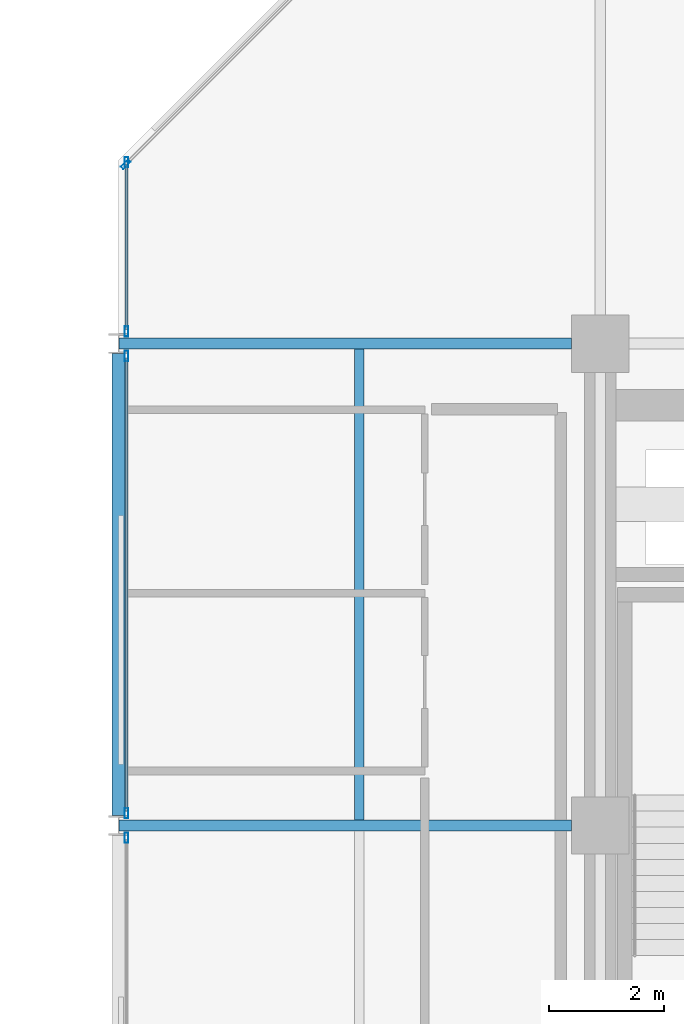
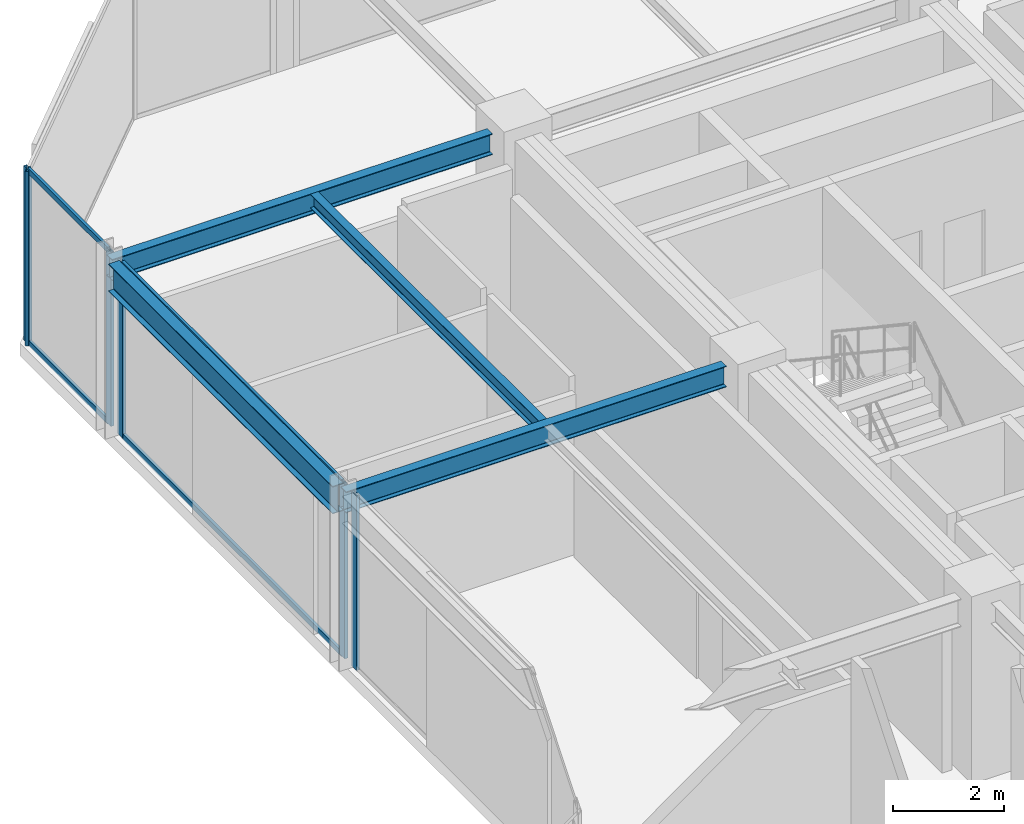
# One storey, part 17 of 29: 10 members, 4 beams, 4 elements without a shape of their own.
"""IFC4 building model written with IfcOpenShell, lengths in metres."""

from ifc_helpers import new_model, si_unit, direction, frame, origin, origin_2d, place, context, subcontext, project, spatial, hollow_rectangle, i_section, extrude, material, layer, layer_set, material_profile, profile_set, type_object, element, aggregate, save


model = new_model("IFC4")

# Units and contexts
model_context = context("Model", 3, precision=1e-05, world=origin(), true_north=direction((0.0, 1.0)))
body_context = subcontext(model_context, "Body", "Model", "MODEL_VIEW")
ifc_project = project(units=[si_unit("LENGTHUNIT", "METRE"), si_unit("AREAUNIT", "SQUARE_METRE"), si_unit("VOLUMEUNIT", "CUBIC_METRE"), si_unit("PLANEANGLEUNIT", "RADIAN"), si_unit("MASSUNIT", "GRAM", prefix="KILO")], contexts=[model_context])

# Site, building, storey
site_placement = place(None, origin())
site = spatial("IfcSite", under=ifc_project, at=site_placement, CompositionType="ELEMENT")
building_placement = place(site_placement, origin())
building = spatial("IfcBuilding", under=site, at=building_placement, Name="Nerrivon Quay Data Exchange", CompositionType="ELEMENT")
storey_placement = place(building_placement, frame((0.0, 0.0, 187.800048828125)))
storey = spatial("IfcBuildingStorey", under=building, at=storey_placement, Name="L44", CompositionType="ELEMENT", Elevation=187.800048828125)

# Beams
ifc_material_1 = material(Name="Steel Grade 350", Category="steel")
ifc_material_profile_1 = material_profile(ifc_material_1, i_section(OverallWidth=0.22802734375, OverallDepth=0.60205078125, WebThickness=0.010498046875, FlangeThickness=0.014892578125, FilletRadius=0.013916015625, at=origin_2d()), Name="610UB101")
ifc_profile_set_1 = profile_set([ifc_material_profile_1], Name="Steel Grade 350")
beam_type_1 = type_object("IfcBeamType", Name="BM-G2-610UB101", PredefinedType="BEAM", material=ifc_profile_set_1)
beam_1_placement = place(storey_placement, frame((0.0, 33.77490234375, 3.52392578125), z_axis=(0.0, 1.0, 0.0), x_axis=(-1.0, 0.0, 0.0)))
element("IfcBeam", 1, at=beam_1_placement, inside=storey, type_object=beam_type_1, Name="L44 NS Girder X=0.0 (33.6..42.0)", PredefinedType="BEAM", context=body_context, shape_type="SweptSolid", body=[
    extrude(i_section(OverallWidth=0.22802734375, OverallDepth=0.60205078125, WebThickness=0.010498046875, FlangeThickness=0.014892578125, FilletRadius=0.013916015625, at=origin_2d()), origin(), (0.0, 0.0, 1.0), 8.050048828125),
])
ifc_material_profile_2 = material_profile(ifc_material_1, i_section(OverallWidth=0.19091796875, OverallDepth=0.4599609375, WebThickness=0.010009765625, FlangeThickness=0.01611328125, FilletRadius=0.011474609375, at=origin_2d()), Name="460UB82.1")
ifc_profile_set_2 = profile_set([ifc_material_profile_2], Name="Steel Grade 350")
beam_type_2 = type_object("IfcBeamType", Name="BM-G5-460UB82", PredefinedType="BEAM", material=ifc_profile_set_2)
for number, where, z_axis, x_axis, name in (
    (2, (0.010009765625, 33.60009765625, 3.594970703125), (1.0, 0.0, 0.0), (0.0, 1.0, 0.0), "L44 EW Girder Y=33.6 (0.0..8.4)"),
    (3, (0.010009765625, 42.0, 3.594970703125), (1.0, 0.0, 0.0), (0.0, 1.0, 0.0), "L44 EW Girder Y=42.0 (0.0..8.4)"),
):
    element("IfcBeam", number, at=place(storey_placement, frame(where, z_axis=z_axis, x_axis=x_axis)), inside=storey, type_object=beam_type_2, Name=name, PredefinedType="BEAM", context=body_context, shape_type="SweptSolid", body=[
        extrude(i_section(OverallWidth=0.19091796875, OverallDepth=0.4599609375, WebThickness=0.010009765625, FlangeThickness=0.01611328125, FilletRadius=0.011474609375, at=origin_2d()), origin(), (0.0, 0.0, 1.0), 7.889892578125),
    ])
ifc_material_profile_3 = material_profile(ifc_material_1, i_section(OverallWidth=0.166015625, OverallDepth=0.306884765625, WebThickness=0.006591796875, FlangeThickness=0.01171875, FilletRadius=0.011474609375, at=origin_2d()), Name="310UB46.2")
ifc_profile_set_3 = profile_set([ifc_material_profile_3], Name="Steel Grade 350")
beam_type_3 = type_object("IfcBeamType", Name="BM-J5-310UB46", PredefinedType="JOIST", material=ifc_profile_set_3)
beam_2_placement = place(storey_placement, frame((4.199951171875, 33.695556640625, 3.67138671875), z_axis=(0.0, 1.0, 0.0), x_axis=(-1.0, 0.0, 0.0)))
element("IfcBeam", 4, at=beam_2_placement, inside=storey, type_object=beam_type_3, Name="L44 Secondary Joist X=4.2 (33.6..42.0)", PredefinedType="JOIST", context=body_context, shape_type="SweptSolid", body=[
    extrude(i_section(OverallWidth=0.166015625, OverallDepth=0.306884765625, WebThickness=0.006591796875, FlangeThickness=0.01171875, FilletRadius=0.011474609375, at=origin_2d()), origin(), (0.0, 0.0, 1.0), 8.208984375),
])

# Curtain wall, member
ifc_material_2 = material(Name="Anodised aluminium 6063-T6", Category="aluminium")
ifc_layer = layer(ifc_material_2, 0.195068359375)
ifc_layer_set = layer_set([ifc_layer], Name="Anodised aluminium 6063-T6")
curtain_wall_type = type_object("IfcCurtainWallType", Name="CW-SYS-06", PredefinedType="NOTDEFINED", material=ifc_layer_set)
curtain_wall_1_placement = place(storey_placement, origin())
curtain_wall_1 = element("IfcCurtainWall", 5, at=curtain_wall_1_placement, inside=storey, type_object=curtain_wall_type, Name="L44 Unitised Curtain Wall 4", PredefinedType="NOTDEFINED")
ifc_material_profile_4 = material_profile(ifc_material_2, hollow_rectangle(XDim=0.06494140625, YDim=0.179931640625, WallThickness=0.00341796875, at=origin_2d()), Name="ALU-MULL-180x65")
ifc_profile_set_4 = profile_set([ifc_material_profile_4], Name="Anodised aluminium 6063-T6")
member_type_1 = type_object("IfcMemberType", Name="CWM-180x65", PredefinedType="MULLION", material=ifc_profile_set_4)
member_1_placement = place(storey_placement, frame((0.139892578125, 33.387451171875, 0.0), z_axis=(0.0, 0.0, 1.0), x_axis=(-1.0, 0.0, 0.0)))
member_1 = element("IfcMember", 6, at=member_1_placement, type_object=member_type_1, Name="CW06 mullion 2", PredefinedType="MULLION", context=body_context, shape_type="SweptSolid", body=[
    extrude(hollow_rectangle(XDim=0.06494140625, YDim=0.179931640625, WallThickness=0.00341796875, at=origin_2d()), origin(), (0.0, 0.0, 1.0), 3.824951171875),
])
aggregate(curtain_wall_1, [member_1])

# Curtain wall, members
curtain_wall_2_placement = place(storey_placement, origin())
curtain_wall_2 = element("IfcCurtainWall", 7, at=curtain_wall_2_placement, inside=storey, type_object=curtain_wall_type, Name="L44 Unitised Curtain Wall 5", PredefinedType="NOTDEFINED")
member_2_placement = place(storey_placement, frame((0.139892578125, 33.8125, 0.0), z_axis=(0.0, 0.0, 1.0), x_axis=(-1.0, 0.0, 0.0)))
member_2 = element("IfcMember", 8, at=member_2_placement, type_object=member_type_1, Name="CW06 mullion 1", PredefinedType="MULLION", context=body_context, shape_type="SweptSolid", body=[
    extrude(hollow_rectangle(XDim=0.06494140625, YDim=0.179931640625, WallThickness=0.00341796875, at=origin_2d()), origin(), (0.0, 0.0, 1.0), 3.824951171875),
])
member_3_placement = place(storey_placement, frame((0.139892578125, 41.78759765625, 0.0), z_axis=(0.0, 0.0, 1.0), x_axis=(-1.0, 0.0, 0.0)))
member_3 = element("IfcMember", 9, at=member_3_placement, type_object=member_type_1, Name="CW06 mullion 2", PredefinedType="MULLION", context=body_context, shape_type="SweptSolid", body=[
    extrude(hollow_rectangle(XDim=0.06494140625, YDim=0.179931640625, WallThickness=0.00341796875, at=origin_2d()), origin(), (0.0, 0.0, 1.0), 3.824951171875),
])

curtain_wall_3_placement = place(storey_placement, origin())
curtain_wall_3 = element("IfcCurtainWall", 10, at=curtain_wall_3_placement, inside=storey, type_object=curtain_wall_type, Name="L44 Unitised Curtain Wall 6", PredefinedType="NOTDEFINED")
member_4_placement = place(storey_placement, frame((0.139892578125, 42.21240234375, 0.0), z_axis=(0.0, 0.0, 1.0), x_axis=(-1.0, 0.0, 0.0)))
member_4 = element("IfcMember", 11, at=member_4_placement, type_object=member_type_1, Name="CW06 mullion 1", PredefinedType="MULLION", context=body_context, shape_type="SweptSolid", body=[
    extrude(hollow_rectangle(XDim=0.06494140625, YDim=0.179931640625, WallThickness=0.00341796875, at=origin_2d()), origin(), (0.0, 0.0, 1.0), 3.824951171875),
])
member_5_placement = place(storey_placement, frame((0.139892578125, 45.16259765625, 0.0), z_axis=(0.0, 0.0, 1.0), x_axis=(-1.0, 0.0, 0.0)))
member_5 = element("IfcMember", 12, at=member_5_placement, type_object=member_type_1, Name="CW06 mullion 2", PredefinedType="MULLION", context=body_context, shape_type="SweptSolid", body=[
    extrude(hollow_rectangle(XDim=0.06494140625, YDim=0.179931640625, WallThickness=0.00341796875, at=origin_2d()), origin(), (0.0, 0.0, 1.0), 3.824951171875),
])

# Curtain wall, member
curtain_wall_4_placement = place(storey_placement, origin())
curtain_wall_4 = element("IfcCurtainWall", 13, at=curtain_wall_4_placement, inside=storey, type_object=curtain_wall_type, Name="L44 Unitised Curtain Wall 7", PredefinedType="NOTDEFINED")
member_6_placement = place(storey_placement, frame((0.12548828125, 45.12744140625, 0.0), z_axis=(0.0, 0.0, 1.0), x_axis=(-0.707106781187, 0.707106781187, 0.0)))
member_6 = element("IfcMember", 14, at=member_6_placement, type_object=member_type_1, Name="CW06 mullion 1", PredefinedType="MULLION", context=body_context, shape_type="SweptSolid", body=[
    extrude(hollow_rectangle(XDim=0.06494140625, YDim=0.179931640625, WallThickness=0.00341796875, at=origin_2d()), origin(), (0.0, 0.0, 1.0), 3.824951171875),
])
aggregate(curtain_wall_4, [member_6])

# Member
ifc_material_profile_5 = material_profile(ifc_material_2, hollow_rectangle(XDim=0.06005859375, YDim=0.1201171875, WallThickness=0.003173828125, at=origin_2d()), Name="ALU-TRAN-120x60")
ifc_profile_set_5 = profile_set([ifc_material_profile_5], Name="Anodised aluminium 6063-T6")
member_type_2 = type_object("IfcMemberType", Name="CWT-120x60", PredefinedType="USERDEFINED", material=ifc_profile_set_5)
member_7_placement = place(storey_placement, frame((0.139892578125, 33.85009765625, 0.032470703125), z_axis=(0.0, 1.0, 0.0), x_axis=(-1.0, 0.0, 0.0)))
member_7 = element("IfcMember", 15, at=member_7_placement, type_object=member_type_2, Name="CW06 transom 1.1", ObjectType="TRANSOM", PredefinedType="USERDEFINED", context=body_context, shape_type="SweptSolid", body=[
    extrude(hollow_rectangle(XDim=0.06005859375, YDim=0.1201171875, WallThickness=0.003173828125, at=origin_2d()), origin(), (0.0, 0.0, 1.0), 7.89990234375),
])

member_8_placement = place(storey_placement, frame((0.139892578125, 33.85009765625, 3.79248046875), z_axis=(0.0, 1.0, 0.0), x_axis=(-1.0, 0.0, 0.0)))
member_8 = element("IfcMember", 16, at=member_8_placement, type_object=member_type_2, Name="CW06 transom 1.2", ObjectType="TRANSOM", PredefinedType="USERDEFINED", context=body_context, shape_type="SweptSolid", body=[
    extrude(hollow_rectangle(XDim=0.06005859375, YDim=0.1201171875, WallThickness=0.003173828125, at=origin_2d()), origin(), (0.0, 0.0, 1.0), 7.89990234375),
])

aggregate(curtain_wall_2, [member_2, member_3, member_7, member_8])

member_9_placement = place(storey_placement, frame((0.139892578125, 42.25, 0.032470703125), z_axis=(0.0, 1.0, 0.0), x_axis=(-1.0, 0.0, 0.0)))
member_9 = element("IfcMember", 17, at=member_9_placement, type_object=member_type_2, Name="CW06 transom 1.1", ObjectType="TRANSOM", PredefinedType="USERDEFINED", context=body_context, shape_type="SweptSolid", body=[
    extrude(hollow_rectangle(XDim=0.06005859375, YDim=0.1201171875, WallThickness=0.003173828125, at=origin_2d()), origin(), (0.0, 0.0, 1.0), 2.875),
])

member_10_placement = place(storey_placement, frame((0.139892578125, 42.25, 3.79248046875), z_axis=(0.0, 1.0, 0.0), x_axis=(-1.0, 0.0, 0.0)))
member_10 = element("IfcMember", 18, at=member_10_placement, type_object=member_type_2, Name="CW06 transom 1.2", ObjectType="TRANSOM", PredefinedType="USERDEFINED", context=body_context, shape_type="SweptSolid", body=[
    extrude(hollow_rectangle(XDim=0.06005859375, YDim=0.1201171875, WallThickness=0.003173828125, at=origin_2d()), origin(), (0.0, 0.0, 1.0), 2.875),
])

aggregate(curtain_wall_3, [member_4, member_5, member_9, member_10])

save(model, "model.ifc")
